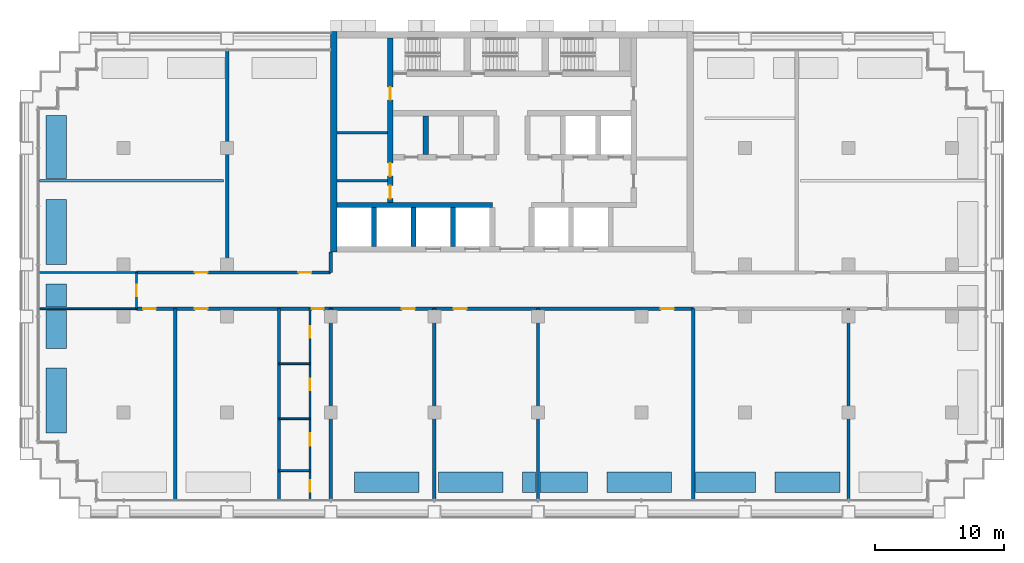
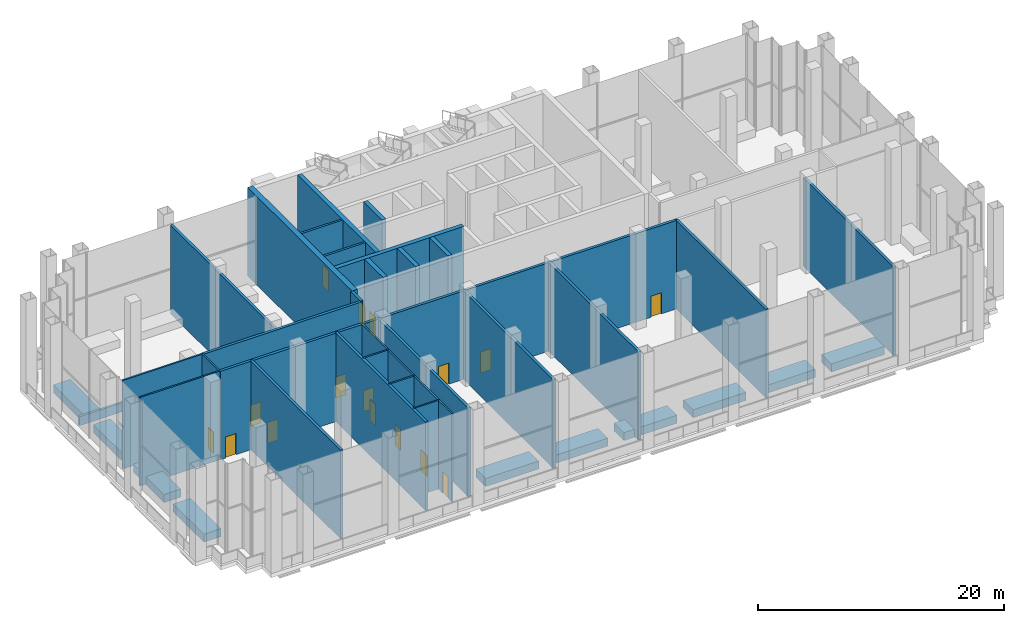
# One storey, part 9 of 16: 41 walls, 16 doors, 16 openings.
"""IFC4 building model written with IfcOpenShell, lengths in metres."""

from ifc_helpers import new_model, si_unit, direction, frame, frame_2d, origin, place, context, subcontext, project, spatial, rectangle, extrude, material, layer, layer_set, type_object, element, fill, save


model = new_model("IFC4")

# Units and contexts
model_context = context("Model", 3, precision=1e-05, world=origin(), true_north=direction((0.0, 1.0)))
body_context = subcontext(model_context, "Body", "Model", "MODEL_VIEW")
ifc_project = project(units=[si_unit("LENGTHUNIT", "METRE"), si_unit("AREAUNIT", "SQUARE_METRE"), si_unit("VOLUMEUNIT", "CUBIC_METRE"), si_unit("PLANEANGLEUNIT", "RADIAN"), si_unit("MASSUNIT", "GRAM", prefix="KILO")], contexts=[model_context])

# Site, building, storey
site_placement = place(None, origin())
site = spatial("IfcSite", under=ifc_project, at=site_placement, CompositionType="ELEMENT")
building_placement = place(site_placement, origin())
building = spatial("IfcBuilding", under=site, at=building_placement, Name="Vidyagriha Tower", CompositionType="ELEMENT")
storey_placement = place(building_placement, frame((0.0, 0.0, 64.0)))
storey = spatial("IfcBuildingStorey", under=building, at=storey_placement, Name="L17", CompositionType="ELEMENT", Elevation=64.0)

# Walls
ifc_material_1 = material(Name="Precast concrete C40/50 with brick facing", Category="concrete")
ifc_layer_1 = layer(ifc_material_1, 1.60009765625)
ifc_layer_set_1 = layer_set([ifc_layer_1], Name="Precast concrete C40/50 with brick facing")
wall_type_1 = type_object("IfcWallType", Name="Brick planter box 1600", PredefinedType="STANDARD", material=ifc_layer_set_1)
for number, where, z_axis, x_axis, name in (
    (1, (-35.199951171875, 7.02001953125, 0.0), (0.0, 0.0, 1.0), (0.0, -1.0, 0.0), "PLANTER L17 8"),
    (2, (-35.199951171875, -5.97998046875, 0.0), (0.0, 0.0, 1.0), (0.0, -1.0, 0.0), "PLANTER L17 10"),
):
    element("IfcWall", number, at=place(storey_placement, frame(where, z_axis=z_axis, x_axis=x_axis)), inside=storey, type_object=wall_type_1, Name=name, PredefinedType="STANDARD", context=body_context, shape_type="SweptSolid", body=[
        extrude(rectangle(XDim=5.0, YDim=1.60009765625, at=frame_2d((2.5, 0.0))), origin(), (0.0, 0.0, 1.0), 0.800048828125),
    ])
for number, where, name in (
    (3, (-12.179931640625, -14.800048828125, 0.0), "PLANTER L17 14"),
    (4, (-5.679931640625, -14.800048828125, 0.0), "PLANTER L17 15"),
    (5, (7.320068359375, -14.800048828125, 0.0), "PLANTER L17 17"),
    (6, (20.320068359375, -14.800048828125, 0.0), "PLANTER L17 19"),
):
    element("IfcWall", number, at=place(storey_placement, frame(where)), inside=storey, type_object=wall_type_1, Name=name, PredefinedType="STANDARD", context=body_context, shape_type="SweptSolid", body=[
        extrude(rectangle(XDim=5.0, YDim=1.60009765625, at=frame_2d((2.5, 0.0))), origin(), (0.0, 0.0, 1.0), 0.800048828125),
    ])
wall_1_placement = place(storey_placement, frame((-35.199951171875, 13.52001953125, 0.0), z_axis=(0.0, 0.0, 1.0), x_axis=(0.0, -1.0, 0.0)))
element("IfcWall", 7, at=wall_1_placement, inside=storey, type_object=wall_type_1, Name="PLANTER L17 7", PredefinedType="STANDARD", context=body_context, shape_type="SweptSolid", body=[
    extrude(rectangle(XDim=4.8701171875, YDim=1.60009765625, at=frame_2d((2.43505859375, 0.0))), origin(), (0.0, 0.0, 1.0), 0.800048828125),
])
wall_2_placement = place(storey_placement, frame((-35.199951171875, 0.52001953125, 0.0), z_axis=(0.0, 0.0, 1.0), x_axis=(0.0, -1.0, 0.0)))
element("IfcWall", 8, at=wall_2_placement, inside=storey, type_object=wall_type_1, Name="PLANTER L17 9", PredefinedType="STANDARD", context=body_context, shape_type="SweptSolid", body=[
    extrude(rectangle(XDim=1.794921875, YDim=1.60009765625, at=frame_2d((0.8974609375, 0.0))), origin(), (0.0, 0.0, 1.0), 0.800048828125),
])
wall_3_placement = place(storey_placement, frame((-35.199951171875, -1.52490234375, 0.0), z_axis=(0.0, 0.0, 1.0), x_axis=(0.0, -1.0, 0.0)))
element("IfcWall", 9, at=wall_3_placement, inside=storey, type_object=wall_type_1, Name="PLANTER L17 9", PredefinedType="STANDARD", context=body_context, shape_type="SweptSolid", body=[
    extrude(rectangle(XDim=2.955078125, YDim=1.60009765625, at=frame_2d((1.4775390625, 0.0))), origin(), (0.0, 0.0, 1.0), 0.800048828125),
])
wall_4_placement = place(storey_placement, frame((0.820068359375, -14.800048828125, 0.0)))
element("IfcWall", 10, at=wall_4_placement, inside=storey, type_object=wall_type_1, Name="PLANTER L17 16", PredefinedType="STANDARD", context=body_context, shape_type="SweptSolid", body=[
    extrude(rectangle(XDim=1.0048828125, YDim=1.60009765625, at=frame_2d((0.50244140625, 0.0))), origin(), (0.0, 0.0, 1.0), 0.800048828125),
])
wall_5_placement = place(storey_placement, frame((2.175048828125, -14.800048828125, 0.0)))
element("IfcWall", 11, at=wall_5_placement, inside=storey, type_object=wall_type_1, Name="PLANTER L17 16", PredefinedType="STANDARD", context=body_context, shape_type="SweptSolid", body=[
    extrude(rectangle(XDim=3.64501953125, YDim=1.60009765625, at=frame_2d((1.822509765625, 0.0))), origin(), (0.0, 0.0, 1.0), 0.800048828125),
])
wall_6_placement = place(storey_placement, frame((14.175048828125, -14.800048828125, 0.0)))
element("IfcWall", 12, at=wall_6_placement, inside=storey, type_object=wall_type_1, Name="PLANTER L17 18", PredefinedType="STANDARD", context=body_context, shape_type="SweptSolid", body=[
    extrude(rectangle(XDim=4.64501953125, YDim=1.60009765625, at=frame_2d((2.322509765625, 0.0))), origin(), (0.0, 0.0, 1.0), 0.800048828125),
])
ifc_material_2 = material(Name="Fired clay brick masonry", Category="masonry")
ifc_layer_2 = layer(ifc_material_2, 0.199951171875)
ifc_layer_set_2 = layer_set([ifc_layer_2], Name="Fired clay brick masonry")
wall_type_2 = type_object("IfcWallType", Name="Brick planter wall 200", PredefinedType="PARTITIONING", material=ifc_layer_set_2)
wall_7_placement = place(storey_placement, frame((-36.510009765625, 8.5, 0.0)))
element("IfcWall", 13, at=wall_7_placement, inside=storey, type_object=wall_type_2, Name="Wall all-L17-w045", PredefinedType="PARTITIONING", context=body_context, shape_type="SweptSolid", body=[
    extrude(rectangle(XDim=14.2099609375, YDim=0.199951171875, at=frame_2d((7.10498046875, 0.0))), origin(), (0.0, 0.0, 1.0), 0.89990234375),
])

# Wall, openings, doors
ifc_material_3 = material(Name="Concrete C60/75", Category="concrete")
ifc_layer_3 = layer(ifc_material_3, 0.39990234375)
ifc_layer_set_3 = layer_set([ifc_layer_3], Name="Concrete C60/75")
wall_type_3 = type_object("IfcWallType", Name="Core shear wall 400 mm", PredefinedType="SHEAR", material=ifc_layer_set_3)
wall_8_placement = place(storey_placement, frame((-9.39990234375, 6.800048828125, 0.0), z_axis=(0.0, 0.0, 1.0), x_axis=(0.0, 1.0, 0.0)))
wall_8 = element("IfcWall", 14, at=wall_8_placement, inside=storey, type_object=wall_type_3, Name="Core west spine wall", PredefinedType="SHEAR", context=body_context, shape_type="SweptSolid", body=[
    extrude(rectangle(XDim=12.699951171875, YDim=0.39990234375, at=frame_2d((6.35009765625, 0.0))), origin(), (0.0, 0.0, 1.0), 8.800048828125),
])
opening_1_placement = place(wall_8_placement, frame((0.300048828125, 0.0, 0.0)))
opening_1 = element("IfcOpeningElement", 15, at=opening_1_placement, cuts=wall_8, Name="Opening D17-10", PredefinedType="OPENING", context=body_context, shape_type="SweptSolid", body=[
    extrude(rectangle(XDim=1.0, YDim=2.10009765625, at=frame_2d((0.5, 1.050048828125))), frame((0.0, 0.2099609375, 0.0), z_axis=(0.0, -1.0, 0.0), x_axis=(1.0, 0.0, 0.0)), (0.0, 0.0, 1.0), 0.419921875),
])
opening_2_placement = place(wall_8_placement, frame((2.050048828125, 0.0, 0.0)))
opening_2 = element("IfcOpeningElement", 16, at=opening_2_placement, cuts=wall_8, Name="Opening D17-11", PredefinedType="OPENING", context=body_context, shape_type="SweptSolid", body=[
    extrude(rectangle(XDim=1.0, YDim=2.10009765625, at=frame_2d((0.5, 1.050048828125))), frame((0.0, 0.2099609375, 0.0), z_axis=(0.0, -1.0, 0.0), x_axis=(1.0, 0.0, 0.0)), (0.0, 0.0, 1.0), 0.419921875),
])
opening_3_placement = place(wall_8_placement, frame((7.925048828125, 0.0, 0.0)))
opening_3 = element("IfcOpeningElement", 17, at=opening_3_placement, cuts=wall_8, Name="Opening D17-12", PredefinedType="OPENING", context=body_context, shape_type="SweptSolid", body=[
    extrude(rectangle(XDim=1.0, YDim=2.10009765625, at=frame_2d((0.5, 1.050048828125))), frame((0.0, 0.2099609375, 0.0), z_axis=(0.0, -1.0, 0.0), x_axis=(1.0, 0.0, 0.0)), (0.0, 0.0, 1.0), 0.419921875),
])
ifc_material_4 = material(Name="Hollow metal door leaf")
door_type_1 = type_object("IfcDoorType", Name="Core room door 1000 x 2100 mm EI 60", OperationType="NOTDEFINED", PredefinedType="DOOR", material=ifc_material_4)
door_1_placement = place(opening_1_placement, frame((1.0, 0.0, 0.0), z_axis=(0.0, 0.0, 1.0), x_axis=(-1.0, 0.0, 0.0)))
door_1 = element("IfcDoor", 18, at=door_1_placement, inside=storey, type_object=door_type_1, Name="Door Communications Room 17.W1", OperationType="SINGLE_SWING_RIGHT", OverallHeight=2.10009765625, OverallWidth=1.0, PredefinedType="DOOR", context=body_context, shape_type="SweptSolid", body=[
    extrude(rectangle(XDim=1.0, YDim=2.10009765625, at=frame_2d((0.5, 1.050048828125))), frame((0.0, 0.02490234375, 0.0), z_axis=(0.0, -1.0, 0.0), x_axis=(1.0, 0.0, 0.0)), (0.0, 0.0, 1.0), 0.050048828125),
])
fill(opening_1, door_1)
door_2_placement = place(opening_2_placement, frame((1.0, 0.0, 0.0), z_axis=(0.0, 0.0, 1.0), x_axis=(-1.0, 0.0, 0.0)))
door_2 = element("IfcDoor", 19, at=door_2_placement, inside=storey, type_object=door_type_1, Name="Door Pressurisation Plant Room 17.W2", OperationType="SINGLE_SWING_LEFT", OverallHeight=2.10009765625, OverallWidth=1.0, PredefinedType="DOOR", context=body_context, shape_type="SweptSolid", body=[
    extrude(rectangle(XDim=1.0, YDim=2.10009765625, at=frame_2d((0.5, 1.050048828125))), frame((0.0, 0.02490234375, 0.0), z_axis=(0.0, -1.0, 0.0), x_axis=(1.0, 0.0, 0.0)), (0.0, 0.0, 1.0), 0.050048828125),
])
fill(opening_2, door_2)
door_3_placement = place(opening_3_placement, frame((1.0, 0.0, 0.0), z_axis=(0.0, 0.0, 1.0), x_axis=(-1.0, 0.0, 0.0)))
door_3 = element("IfcDoor", 20, at=door_3_placement, inside=storey, type_object=door_type_1, Name="Door Switchgear Room 17.W3", OperationType="SINGLE_SWING_LEFT", OverallHeight=2.10009765625, OverallWidth=1.0, PredefinedType="DOOR", context=body_context, shape_type="SweptSolid", body=[
    extrude(rectangle(XDim=1.0, YDim=2.10009765625, at=frame_2d((0.5, 1.050048828125))), frame((0.0, 0.02490234375, 0.0), z_axis=(0.0, -1.0, 0.0), x_axis=(1.0, 0.0, 0.0)), (0.0, 0.0, 1.0), 0.050048828125),
])
fill(opening_3, door_3)

# Walls
wall_9_placement = place(storey_placement, frame((-13.5, 6.60009765625, 0.0)))
element("IfcWall", 21, at=wall_9_placement, inside=storey, type_object=wall_type_3, Name="Core lobby south wall west", PredefinedType="SHEAR", context=body_context, shape_type="SweptSolid", body=[
    extrude(rectangle(XDim=11.977783203125, YDim=0.39990234375, at=frame_2d((5.98876953125, 0.0))), origin(), (0.0, 0.0, 1.0), 8.800048828125),
])
for number, where, z_axis, x_axis, name in (
    (22, (-10.655517578125, 3.39990234375, 0.0), (0.0, 0.0, 1.0), (0.0, 1.0, 0.0), "Core bay wall S1"),
    (23, (-7.611083984375, 3.39990234375, 0.0), (0.0, 0.0, 1.0), (0.0, 1.0, 0.0), "Core bay wall S2"),
    (24, (-4.566650390625, 3.39990234375, 0.0), (0.0, 0.0, 1.0), (0.0, 1.0, 0.0), "Core bay wall S3"),
    (25, (-6.666748046875, 10.5, 0.0), (0.0, 0.0, 1.0), (0.0, 1.0, 0.0), "Core bay wall N1"),
):
    element("IfcWall", number, at=place(storey_placement, frame(where, z_axis=z_axis, x_axis=x_axis)), inside=storey, type_object=wall_type_3, Name=name, PredefinedType="SHEAR", context=body_context, shape_type="SweptSolid", body=[
        extrude(rectangle(XDim=3.0, YDim=0.39990234375, at=frame_2d((1.5, 0.0))), origin(), (0.0, 0.0, 1.0), 8.800048828125),
    ])
ifc_material_5 = material(Name="Concrete C60/75", Category="concrete")
ifc_layer_4 = layer(ifc_material_5, 0.5)
ifc_layer_set_4 = layer_set([ifc_layer_4], Name="Concrete C60/75")
wall_type_4 = type_object("IfcWallType", Name="Core shear wall 500 mm", PredefinedType="SHEAR", material=ifc_layer_set_4)
wall_10_placement = place(storey_placement, frame((-13.75, 3.0, 0.0), z_axis=(0.0, 0.0, 1.0), x_axis=(0.0, 1.0, 0.0)))
element("IfcWall", 26, at=wall_10_placement, inside=storey, type_object=wall_type_4, Name="Core west wall", PredefinedType="SHEAR", context=body_context, shape_type="SweptSolid", body=[
    extrude(rectangle(XDim=17.0, YDim=0.5, at=frame_2d((8.5, 0.0))), origin(), (0.0, 0.0, 1.0), 8.800048828125),
])

# Wall, openings, doors
ifc_material_6 = material(Name="Fired clay brick masonry", Category="masonry")
ifc_layer_5 = layer(ifc_material_6, 0.25)
ifc_layer_set_5 = layer_set([ifc_layer_5], Name="Fired clay brick masonry")
wall_type_5 = type_object("IfcWallType", Name="Fired clay brick corridor wall 250", PredefinedType="PARTITIONING", material=ifc_layer_set_5)
wall_11_placement = place(storey_placement, frame((-14.0, -1.39990234375, 0.0), z_axis=(0.0, 0.0, 1.0), x_axis=(-1.0, 0.0, 0.0)))
wall_11 = element("IfcWall", 27, at=wall_11_placement, inside=storey, type_object=wall_type_5, Name="Wall all-L17-w001", PredefinedType="PARTITIONING", context=body_context, shape_type="SweptSolid", body=[
    extrude(rectangle(XDim=15.0, YDim=0.25, at=frame_2d((7.5, 0.0))), origin(), (0.0, 0.0, 1.0), 8.800048828125),
])
opening_4_placement = place(wall_11_placement, frame((0.554931640625, 0.0, 0.0)))
opening_4 = element("IfcOpeningElement", 28, at=opening_4_placement, cuts=wall_11, Name="Opening D17-19", PredefinedType="OPENING", context=body_context, shape_type="SweptSolid", body=[
    extrude(rectangle(XDim=0.89990234375, YDim=2.10009765625, at=frame_2d((0.449951171875, 1.050048828125))), frame((0.0, 0.135009765625, 0.0), z_axis=(0.0, -1.0, 0.0), x_axis=(1.0, 0.0, 0.0)), (0.0, 0.0, 1.0), 0.27001953125),
])
opening_5_placement = place(wall_11_placement, frame((9.5, 0.0, 0.0)))
opening_5 = element("IfcOpeningElement", 29, at=opening_5_placement, cuts=wall_11, Name="Opening D17-20", PredefinedType="OPENING", context=body_context, shape_type="SweptSolid", body=[
    extrude(rectangle(XDim=1.0, YDim=2.10009765625, at=frame_2d((0.5, 1.050048828125))), frame((0.0, 0.135009765625, 0.0), z_axis=(0.0, -1.0, 0.0), x_axis=(1.0, 0.0, 0.0)), (0.0, 0.0, 1.0), 0.27001953125),
])
opening_6_placement = place(wall_11_placement, frame((13.5, 0.0, 0.0)))
opening_6 = element("IfcOpeningElement", 30, at=opening_6_placement, cuts=wall_11, Name="Opening D17-21", PredefinedType="OPENING", context=body_context, shape_type="SweptSolid", body=[
    extrude(rectangle(XDim=1.0, YDim=2.10009765625, at=frame_2d((0.5, 1.050048828125))), frame((0.0, 0.135009765625, 0.0), z_axis=(0.0, -1.0, 0.0), x_axis=(1.0, 0.0, 0.0)), (0.0, 0.0, 1.0), 0.27001953125),
])
ifc_material_7 = material(Name="Fire-rated timber door leaf EI 60", Category="wood")
door_type_2 = type_object("IfcDoorType", Name="Flat entrance fire door 1000x2100", OperationType="NOTDEFINED", PredefinedType="DOOR", material=ifc_material_7)
door_4_placement = place(opening_5_placement, origin())
door_4 = element("IfcDoor", 31, at=door_4_placement, inside=storey, type_object=door_type_2, Name="Door D17-20", OperationType="SINGLE_SWING_RIGHT", OverallHeight=2.10009765625, OverallWidth=1.0, PredefinedType="DOOR", context=body_context, shape_type="SweptSolid", body=[
    extrude(rectangle(XDim=1.0, YDim=2.10009765625, at=frame_2d((0.5, 1.050048828125))), frame((0.0, 0.02490234375, 0.0), z_axis=(0.0, -1.0, 0.0), x_axis=(1.0, 0.0, 0.0)), (0.0, 0.0, 1.0), 0.050048828125),
])
fill(opening_5, door_4)
door_5_placement = place(opening_6_placement, origin())
door_5 = element("IfcDoor", 32, at=door_5_placement, inside=storey, type_object=door_type_2, Name="Door D17-21", OperationType="SINGLE_SWING_LEFT", OverallHeight=2.10009765625, OverallWidth=1.0, PredefinedType="DOOR", context=body_context, shape_type="SweptSolid", body=[
    extrude(rectangle(XDim=1.0, YDim=2.10009765625, at=frame_2d((0.5, 1.050048828125))), frame((0.0, 0.02490234375, 0.0), z_axis=(0.0, -1.0, 0.0), x_axis=(1.0, 0.0, 0.0)), (0.0, 0.0, 1.0), 0.050048828125),
])
fill(opening_6, door_5)
ifc_material_8 = material(Name="Fire-rated timber door leaf EI 60", Category="wood")
door_type_3 = type_object("IfcDoorType", Name="Flat entrance fire door 900x2100", OperationType="NOTDEFINED", PredefinedType="DOOR", material=ifc_material_8)
door_6_placement = place(opening_4_placement, origin())
door_6 = element("IfcDoor", 33, at=door_6_placement, inside=storey, type_object=door_type_3, Name="Door D17-19", OperationType="SINGLE_SWING_RIGHT", OverallHeight=2.10009765625, OverallWidth=0.89990234375, PredefinedType="DOOR", context=body_context, shape_type="SweptSolid", body=[
    extrude(rectangle(XDim=0.89990234375, YDim=2.10009765625, at=frame_2d((0.449951171875, 1.050048828125))), frame((0.0, 0.02490234375, 0.0), z_axis=(0.0, -1.0, 0.0), x_axis=(1.0, 0.0, 0.0)), (0.0, 0.0, 1.0), 0.050048828125),
])
fill(opening_4, door_6)

wall_12_placement = place(storey_placement, frame((-29.0, 1.39990234375, 0.0)))
wall_12 = element("IfcWall", 34, at=wall_12_placement, inside=storey, type_object=wall_type_5, Name="Wall all-L17-w019", PredefinedType="PARTITIONING", context=body_context, shape_type="SweptSolid", body=[
    extrude(rectangle(XDim=15.0, YDim=0.25, at=frame_2d((7.5, 0.0))), origin(), (0.0, 0.0, 1.0), 8.800048828125),
])
opening_7_placement = place(wall_12_placement, frame((12.5, 0.0, 0.0)))
opening_7 = element("IfcOpeningElement", 35, at=opening_7_placement, cuts=wall_12, Name="Opening D17-23", PredefinedType="OPENING", context=body_context, shape_type="SweptSolid", body=[
    extrude(rectangle(XDim=1.0, YDim=2.10009765625, at=frame_2d((0.5, 1.050048828125))), frame((0.0, 0.135009765625, 0.0), z_axis=(0.0, -1.0, 0.0), x_axis=(1.0, 0.0, 0.0)), (0.0, 0.0, 1.0), 0.27001953125),
])
opening_8_placement = place(wall_12_placement, frame((4.5, 0.0, 0.0)))
opening_8 = element("IfcOpeningElement", 36, at=opening_8_placement, cuts=wall_12, Name="Opening D17-24", PredefinedType="OPENING", context=body_context, shape_type="SweptSolid", body=[
    extrude(rectangle(XDim=1.0, YDim=2.10009765625, at=frame_2d((0.5, 1.050048828125))), frame((0.0, 0.135009765625, 0.0), z_axis=(0.0, -1.0, 0.0), x_axis=(1.0, 0.0, 0.0)), (0.0, 0.0, 1.0), 0.27001953125),
])
door_7_placement = place(opening_7_placement, origin())
door_7 = element("IfcDoor", 37, at=door_7_placement, inside=storey, type_object=door_type_2, Name="Door D17-23", OperationType="SINGLE_SWING_RIGHT", OverallHeight=2.10009765625, OverallWidth=1.0, PredefinedType="DOOR", context=body_context, shape_type="SweptSolid", body=[
    extrude(rectangle(XDim=1.0, YDim=2.10009765625, at=frame_2d((0.5, 1.050048828125))), frame((0.0, 0.02490234375, 0.0), z_axis=(0.0, -1.0, 0.0), x_axis=(1.0, 0.0, 0.0)), (0.0, 0.0, 1.0), 0.050048828125),
])
fill(opening_7, door_7)
door_8_placement = place(opening_8_placement, origin())
door_8 = element("IfcDoor", 38, at=door_8_placement, inside=storey, type_object=door_type_2, Name="Door D17-24", OperationType="SINGLE_SWING_RIGHT", OverallHeight=2.10009765625, OverallWidth=1.0, PredefinedType="DOOR", context=body_context, shape_type="SweptSolid", body=[
    extrude(rectangle(XDim=1.0, YDim=2.10009765625, at=frame_2d((0.5, 1.050048828125))), frame((0.0, 0.02490234375, 0.0), z_axis=(0.0, -1.0, 0.0), x_axis=(1.0, 0.0, 0.0)), (0.0, 0.0, 1.0), 0.050048828125),
])
fill(opening_8, door_8)

wall_13_placement = place(storey_placement, frame((14.0, -1.39990234375, 0.0), z_axis=(0.0, 0.0, 1.0), x_axis=(-1.0, 0.0, 0.0)))
wall_13 = element("IfcWall", 39, at=wall_13_placement, inside=storey, type_object=wall_type_5, Name="Wall all-L17-w042", PredefinedType="PARTITIONING", context=body_context, shape_type="SweptSolid", body=[
    extrude(rectangle(XDim=28.0, YDim=0.25, at=frame_2d((14.0, 0.0))), origin(), (0.0, 0.0, 1.0), 8.800048828125),
])
opening_9_placement = place(wall_13_placement, frame((21.5, 0.0, 0.0)))
opening_9 = element("IfcOpeningElement", 40, at=opening_9_placement, cuts=wall_13, Name="Opening D17-30", PredefinedType="OPENING", context=body_context, shape_type="SweptSolid", body=[
    extrude(rectangle(XDim=1.0, YDim=2.10009765625, at=frame_2d((0.5, 1.050048828125))), frame((0.0, 0.135009765625, 0.0), z_axis=(0.0, -1.0, 0.0), x_axis=(1.0, 0.0, 0.0)), (0.0, 0.0, 1.0), 0.27001953125),
])
opening_10_placement = place(wall_13_placement, frame((17.5, 0.0, 0.0)))
opening_10 = element("IfcOpeningElement", 41, at=opening_10_placement, cuts=wall_13, Name="Opening D17-31", PredefinedType="OPENING", context=body_context, shape_type="SweptSolid", body=[
    extrude(rectangle(XDim=1.0, YDim=2.10009765625, at=frame_2d((0.5, 1.050048828125))), frame((0.0, 0.135009765625, 0.0), z_axis=(0.0, -1.0, 0.0), x_axis=(1.0, 0.0, 0.0)), (0.0, 0.0, 1.0), 0.27001953125),
])
opening_11_placement = place(wall_13_placement, frame((1.5, 0.0, 0.0)))
opening_11 = element("IfcOpeningElement", 42, at=opening_11_placement, cuts=wall_13, Name="Opening D17-32", PredefinedType="OPENING", context=body_context, shape_type="SweptSolid", body=[
    extrude(rectangle(XDim=1.0, YDim=2.10009765625, at=frame_2d((0.5, 1.050048828125))), frame((0.0, 0.135009765625, 0.0), z_axis=(0.0, -1.0, 0.0), x_axis=(1.0, 0.0, 0.0)), (0.0, 0.0, 1.0), 0.27001953125),
])
door_9_placement = place(opening_9_placement, origin())
door_9 = element("IfcDoor", 43, at=door_9_placement, inside=storey, type_object=door_type_2, Name="Door D17-30", OperationType="SINGLE_SWING_LEFT", OverallHeight=2.10009765625, OverallWidth=1.0, PredefinedType="DOOR", context=body_context, shape_type="SweptSolid", body=[
    extrude(rectangle(XDim=1.0, YDim=2.10009765625, at=frame_2d((0.5, 1.050048828125))), frame((0.0, 0.02490234375, 0.0), z_axis=(0.0, -1.0, 0.0), x_axis=(1.0, 0.0, 0.0)), (0.0, 0.0, 1.0), 0.050048828125),
])
fill(opening_9, door_9)
door_10_placement = place(opening_10_placement, origin())
door_10 = element("IfcDoor", 44, at=door_10_placement, inside=storey, type_object=door_type_2, Name="Door D17-31", OperationType="SINGLE_SWING_RIGHT", OverallHeight=2.10009765625, OverallWidth=1.0, PredefinedType="DOOR", context=body_context, shape_type="SweptSolid", body=[
    extrude(rectangle(XDim=1.0, YDim=2.10009765625, at=frame_2d((0.5, 1.050048828125))), frame((0.0, 0.02490234375, 0.0), z_axis=(0.0, -1.0, 0.0), x_axis=(1.0, 0.0, 0.0)), (0.0, 0.0, 1.0), 0.050048828125),
])
fill(opening_10, door_10)
door_11_placement = place(opening_11_placement, origin())
door_11 = element("IfcDoor", 45, at=door_11_placement, inside=storey, type_object=door_type_2, Name="Door D17-32", OperationType="SINGLE_SWING_LEFT", OverallHeight=2.10009765625, OverallWidth=1.0, PredefinedType="DOOR", context=body_context, shape_type="SweptSolid", body=[
    extrude(rectangle(XDim=1.0, YDim=2.10009765625, at=frame_2d((0.5, 1.050048828125))), frame((0.0, 0.02490234375, 0.0), z_axis=(0.0, -1.0, 0.0), x_axis=(1.0, 0.0, 0.0)), (0.0, 0.0, 1.0), 0.050048828125),
])
fill(opening_11, door_11)

# Walls
wall_14_placement = place(storey_placement, frame((-14.0, 3.0, 0.0), z_axis=(0.0, 0.0, 1.0), x_axis=(0.0, -1.0, 0.0)))
element("IfcWall", 46, at=wall_14_placement, inside=storey, type_object=wall_type_5, Name="Wall all-L17-w043", PredefinedType="PARTITIONING", context=body_context, shape_type="SweptSolid", body=[
    extrude(rectangle(XDim=1.60009765625, YDim=0.25, at=frame_2d((0.800048828125, 0.0))), origin(), (0.0, 0.0, 1.0), 8.800048828125),
])
ifc_material_9 = material(Name="Fired clay brick masonry", Category="masonry")
ifc_layer_6 = layer(ifc_material_9, 0.25)
ifc_layer_set_6 = layer_set([ifc_layer_6], Name="Fired clay brick masonry")
wall_type_6 = type_object("IfcWallType", Name="Fired clay brick demising wall 250", PredefinedType="PARTITIONING", material=ifc_layer_set_6)
for number, where, z_axis, x_axis, name in (
    (47, (-26.0, -1.39990234375, 0.0), (0.0, 0.0, 1.0), (0.0, -1.0, 0.0), "Wall all-L17-w016"),
    (48, (-18.0, -1.39990234375, 0.0), (0.0, 0.0, 1.0), (0.0, -1.0, 0.0), "Wall all-L17-w017"),
    (49, (-14.0, -1.39990234375, 0.0), (0.0, 0.0, 1.0), (0.0, -1.0, 0.0), "Wall all-L17-w018"),
):
    element("IfcWall", number, at=place(storey_placement, frame(where, z_axis=z_axis, x_axis=x_axis)), inside=storey, type_object=wall_type_6, Name=name, PredefinedType="PARTITIONING", context=body_context, shape_type="SweptSolid", body=[
        extrude(rectangle(XDim=14.72119140625, YDim=0.25, at=frame_2d((7.360595703125, 0.0))), origin(), (0.0, 0.0, 1.0), 8.800048828125),
    ])
wall_15_placement = place(storey_placement, frame((-22.0, 18.52099609375, 0.0), z_axis=(0.0, 0.0, 1.0), x_axis=(0.0, -1.0, 0.0)))
element("IfcWall", 50, at=wall_15_placement, inside=storey, type_object=wall_type_6, Name="Wall all-L17-w023", PredefinedType="PARTITIONING", context=body_context, shape_type="SweptSolid", body=[
    extrude(rectangle(XDim=17.12109375, YDim=0.25, at=frame_2d((8.560546875, 0.0))), origin(), (0.0, 0.0, 1.0), 8.800048828125),
])
for number, where, z_axis, x_axis, name in (
    (51, (14.0, -1.39990234375, 0.0), (0.0, 0.0, 1.0), (0.0, -1.0, 0.0), "Wall all-L17-w030"),
    (52, (26.0, -1.39990234375, 0.0), (0.0, 0.0, 1.0), (0.0, -1.0, 0.0), "Wall all-L17-w031"),
    (53, (-6.0, -1.39990234375, 0.0), (0.0, 0.0, 1.0), (0.0, -1.0, 0.0), "Wall all-L17-w040"),
    (54, (2.0, -1.39990234375, 0.0), (0.0, 0.0, 1.0), (0.0, -1.0, 0.0), "Wall all-L17-w041"),
):
    element("IfcWall", number, at=place(storey_placement, frame(where, z_axis=z_axis, x_axis=x_axis)), inside=storey, type_object=wall_type_6, Name=name, PredefinedType="PARTITIONING", context=body_context, shape_type="SweptSolid", body=[
        extrude(rectangle(XDim=14.72119140625, YDim=0.25, at=frame_2d((7.360595703125, 0.0))), origin(), (0.0, 0.0, 1.0), 8.800048828125),
    ])
ifc_material_10 = material(Name="Gypsum board partition")
ifc_layer_7 = layer(ifc_material_10, 0.14990234375)
ifc_layer_set_7 = layer_set([ifc_layer_7], Name="Gypsum board partition")
wall_type_7 = type_object("IfcWallType", Name="Gypsum board partition 150", PredefinedType="PARTITIONING", material=ifc_layer_set_7)
wall_16_placement = place(storey_placement, frame((-29.0, -1.39990234375, 0.0), z_axis=(0.0, 0.0, 1.0), x_axis=(-1.0, 0.0, 0.0)))
element("IfcWall", 55, at=wall_16_placement, inside=storey, type_object=wall_type_7, Name="Wall all-L17-w002", PredefinedType="PARTITIONING", context=body_context, shape_type="SweptSolid", body=[
    extrude(rectangle(XDim=7.530029296875, YDim=0.14990234375, at=frame_2d((3.76513671875, 0.0))), origin(), (0.0, 0.0, 1.0), 8.800048828125),
])

# Wall, opening, door
wall_17_placement = place(storey_placement, frame((-29.0, 1.39990234375, 0.0), z_axis=(0.0, 0.0, 1.0), x_axis=(0.0, -1.0, 0.0)))
wall_17 = element("IfcWall", 56, at=wall_17_placement, inside=storey, type_object=wall_type_7, Name="Wall all-L17-w003", PredefinedType="PARTITIONING", context=body_context, shape_type="SweptSolid", body=[
    extrude(rectangle(XDim=2.7998046875, YDim=0.14990234375, at=frame_2d((1.39990234375, 0.0))), origin(), (0.0, 0.0, 1.0), 8.800048828125),
])
opening_12_placement = place(wall_17_placement, frame((0.949951171875, 0.0, 0.0)))
opening_12 = element("IfcOpeningElement", 57, at=opening_12_placement, cuts=wall_17, Name="Opening D17-22", PredefinedType="OPENING", context=body_context, shape_type="SweptSolid", body=[
    extrude(rectangle(XDim=0.89990234375, YDim=2.10009765625, at=frame_2d((0.449951171875, 1.050048828125))), frame((0.0, 0.0849609375, 0.0), z_axis=(0.0, -1.0, 0.0), x_axis=(1.0, 0.0, 0.0)), (0.0, 0.0, 1.0), 0.169921875),
])
ifc_material_11 = material(Name="Timber door leaf", Category="wood")
door_type_4 = type_object("IfcDoorType", Name="Room door 900x2100", OperationType="NOTDEFINED", PredefinedType="DOOR", material=ifc_material_11)
door_12_placement = place(opening_12_placement, origin())
door_12 = element("IfcDoor", 58, at=door_12_placement, inside=storey, type_object=door_type_4, Name="Door D17-22", OperationType="SINGLE_SWING_RIGHT", OverallHeight=2.10009765625, OverallWidth=0.89990234375, PredefinedType="DOOR", context=body_context, shape_type="SweptSolid", body=[
    extrude(rectangle(XDim=0.89990234375, YDim=2.10009765625, at=frame_2d((0.449951171875, 1.050048828125))), frame((0.0, 0.02490234375, 0.0), z_axis=(0.0, -1.0, 0.0), x_axis=(1.0, 0.0, 0.0)), (0.0, 0.0, 1.0), 0.050048828125),
])
fill(opening_12, door_12)

# Walls
for number, where, z_axis, x_axis, name in (
    (59, (-15.60009765625, -5.64990234375, 0.0), (0.0, 0.0, 1.0), (-1.0, 0.0, 0.0), "Wall all-L17-w006"),
    (60, (-15.60009765625, -9.89990234375, 0.0), (0.0, 0.0, 1.0), (-1.0, 0.0, 0.0), "Wall all-L17-w008"),
    (61, (-15.60009765625, -13.89990234375, 0.0), (0.0, 0.0, 1.0), (-1.0, 0.0, 0.0), "Wall all-L17-w010"),
):
    element("IfcWall", number, at=place(storey_placement, frame(where, z_axis=z_axis, x_axis=x_axis)), inside=storey, type_object=wall_type_7, Name=name, PredefinedType="PARTITIONING", context=body_context, shape_type="SweptSolid", body=[
        extrude(rectangle(XDim=2.39990234375, YDim=0.14990234375, at=frame_2d((1.199951171875, 0.0))), origin(), (0.0, 0.0, 1.0), 8.800048828125),
    ])
wall_18_placement = place(storey_placement, frame((-36.530029296875, 1.39990234375, 0.0)))
element("IfcWall", 62, at=wall_18_placement, inside=storey, type_object=wall_type_7, Name="Wall all-L17-w020", PredefinedType="PARTITIONING", context=body_context, shape_type="SweptSolid", body=[
    extrude(rectangle(XDim=7.530029296875, YDim=0.14990234375, at=frame_2d((3.76513671875, 0.0))), origin(), (0.0, 0.0, 1.0), 8.800048828125),
])

# Wall, openings, doors
ifc_material_12 = material(Name="Moisture resistant gypsum board partition")
ifc_layer_8 = layer(ifc_material_12, 0.14990234375)
ifc_layer_set_8 = layer_set([ifc_layer_8], Name="Moisture resistant gypsum board partition")
wall_type_8 = type_object("IfcWallType", Name="Gypsum board wet-area partition 150", PredefinedType="PARTITIONING", material=ifc_layer_set_8)
wall_19_placement = place(storey_placement, frame((-15.60009765625, -16.12109375, 0.0), z_axis=(0.0, 0.0, 1.0), x_axis=(0.0, 1.0, 0.0)))
wall_19 = element("IfcWall", 63, at=wall_19_placement, inside=storey, type_object=wall_type_8, Name="Wall all-L17-w004", PredefinedType="PARTITIONING", context=body_context, shape_type="SweptSolid", body=[
    extrude(rectangle(XDim=14.72119140625, YDim=0.14990234375, at=frame_2d((7.360595703125, 0.0))), origin(), (0.0, 0.0, 1.0), 8.800048828125),
])
opening_13_placement = place(wall_19_placement, frame((12.4609375, 0.0, 0.0)))
opening_13 = element("IfcOpeningElement", 64, at=opening_13_placement, cuts=wall_19, Name="Opening D17-15", PredefinedType="OPENING", context=body_context, shape_type="SweptSolid", body=[
    extrude(rectangle(XDim=0.89990234375, YDim=2.10009765625, at=frame_2d((0.449951171875, 1.050048828125))), frame((0.0, 0.0849609375, 0.0), z_axis=(0.0, -1.0, 0.0), x_axis=(1.0, 0.0, 0.0)), (0.0, 0.0, 1.0), 0.169921875),
])
opening_14_placement = place(wall_19_placement, frame((8.4208984375, 0.0, 0.0)))
opening_14 = element("IfcOpeningElement", 65, at=opening_14_placement, cuts=wall_19, Name="Opening D17-16", PredefinedType="OPENING", context=body_context, shape_type="SweptSolid", body=[
    extrude(rectangle(XDim=0.89990234375, YDim=2.10009765625, at=frame_2d((0.449951171875, 1.050048828125))), frame((0.0, 0.0849609375, 0.0), z_axis=(0.0, -1.0, 0.0), x_axis=(1.0, 0.0, 0.0)), (0.0, 0.0, 1.0), 0.169921875),
])
opening_15_placement = place(wall_19_placement, frame((4.12109375, 0.0, 0.0)))
opening_15 = element("IfcOpeningElement", 66, at=opening_15_placement, cuts=wall_19, Name="Opening D17-17", PredefinedType="OPENING", context=body_context, shape_type="SweptSolid", body=[
    extrude(rectangle(XDim=1.0, YDim=2.10009765625, at=frame_2d((0.5, 1.050048828125))), frame((0.0, 0.0849609375, 0.0), z_axis=(0.0, -1.0, 0.0), x_axis=(1.0, 0.0, 0.0)), (0.0, 0.0, 1.0), 0.169921875),
])
opening_16_placement = place(wall_19_placement, frame((0.571044921875, 0.0, 0.0)))
opening_16 = element("IfcOpeningElement", 67, at=opening_16_placement, cuts=wall_19, Name="Opening D17-18", PredefinedType="OPENING", context=body_context, shape_type="SweptSolid", body=[
    extrude(rectangle(XDim=0.89990234375, YDim=2.10009765625, at=frame_2d((0.449951171875, 1.050048828125))), frame((0.0, 0.0849609375, 0.0), z_axis=(0.0, -1.0, 0.0), x_axis=(1.0, 0.0, 0.0)), (0.0, 0.0, 1.0), 0.169921875),
])
ifc_material_13 = material(Name="Timber door leaf", Category="wood")
door_type_5 = type_object("IfcDoorType", Name="Bathroom door 1000x2100", OperationType="NOTDEFINED", PredefinedType="DOOR", material=ifc_material_13)
door_13_placement = place(opening_15_placement, origin())
door_13 = element("IfcDoor", 68, at=door_13_placement, inside=storey, type_object=door_type_5, Name="Door D17-17", OperationType="SINGLE_SWING_RIGHT", OverallHeight=2.10009765625, OverallWidth=1.0, PredefinedType="DOOR", context=body_context, shape_type="SweptSolid", body=[
    extrude(rectangle(XDim=1.0, YDim=2.10009765625, at=frame_2d((0.5, 1.050048828125))), frame((0.0, 0.02490234375, 0.0), z_axis=(0.0, -1.0, 0.0), x_axis=(1.0, 0.0, 0.0)), (0.0, 0.0, 1.0), 0.050048828125),
])
fill(opening_15, door_13)
ifc_material_14 = material(Name="Timber door leaf", Category="wood")
door_type_6 = type_object("IfcDoorType", Name="Bathroom door 900x2100", OperationType="NOTDEFINED", PredefinedType="DOOR", material=ifc_material_14)
door_14_placement = place(opening_13_placement, origin())
door_14 = element("IfcDoor", 69, at=door_14_placement, inside=storey, type_object=door_type_6, Name="Door D17-15", OperationType="SINGLE_SWING_RIGHT", OverallHeight=2.10009765625, OverallWidth=0.89990234375, PredefinedType="DOOR", context=body_context, shape_type="SweptSolid", body=[
    extrude(rectangle(XDim=0.89990234375, YDim=2.10009765625, at=frame_2d((0.449951171875, 1.050048828125))), frame((0.0, 0.02490234375, 0.0), z_axis=(0.0, -1.0, 0.0), x_axis=(1.0, 0.0, 0.0)), (0.0, 0.0, 1.0), 0.050048828125),
])
fill(opening_13, door_14)
door_15_placement = place(opening_14_placement, origin())
door_15 = element("IfcDoor", 70, at=door_15_placement, inside=storey, type_object=door_type_6, Name="Door D17-16", OperationType="SINGLE_SWING_RIGHT", OverallHeight=2.10009765625, OverallWidth=0.89990234375, PredefinedType="DOOR", context=body_context, shape_type="SweptSolid", body=[
    extrude(rectangle(XDim=0.89990234375, YDim=2.10009765625, at=frame_2d((0.449951171875, 1.050048828125))), frame((0.0, 0.02490234375, 0.0), z_axis=(0.0, -1.0, 0.0), x_axis=(1.0, 0.0, 0.0)), (0.0, 0.0, 1.0), 0.050048828125),
])
fill(opening_14, door_15)
door_16_placement = place(opening_16_placement, origin())
door_16 = element("IfcDoor", 71, at=door_16_placement, inside=storey, type_object=door_type_6, Name="Door D17-18", OperationType="SINGLE_SWING_LEFT", OverallHeight=2.10009765625, OverallWidth=0.89990234375, PredefinedType="DOOR", context=body_context, shape_type="SweptSolid", body=[
    extrude(rectangle(XDim=0.89990234375, YDim=2.10009765625, at=frame_2d((0.449951171875, 1.050048828125))), frame((0.0, 0.02490234375, 0.0), z_axis=(0.0, -1.0, 0.0), x_axis=(1.0, 0.0, 0.0)), (0.0, 0.0, 1.0), 0.050048828125),
])
fill(opening_16, door_16)

# Walls
ifc_material_15 = material(Name="Blockwork 15 MPa", Category="masonry")
ifc_layer_9 = layer(ifc_material_15, 0.199951171875)
ifc_layer_set_9 = layer_set([ifc_layer_9], Name="Blockwork 15 MPa")
wall_type_9 = type_object("IfcWallType", Name="Service room partition 200 mm", PredefinedType="PARTITIONING", material=ifc_layer_set_9)
for number, where, name in (
    (72, (-13.5, 8.5, 0.0), "Core room partition W1"),
    (73, (-13.5, 12.199951171875, 0.0), "Core room partition W2"),
):
    element("IfcWall", number, at=place(storey_placement, frame(where)), inside=storey, type_object=wall_type_9, Name=name, PredefinedType="PARTITIONING", context=body_context, shape_type="SweptSolid", body=[
        extrude(rectangle(XDim=3.89990234375, YDim=0.199951171875, at=frame_2d((1.949951171875, 0.0))), origin(), (0.0, 0.0, 1.0), 8.800048828125),
    ])

save(model, "model.ifc")
